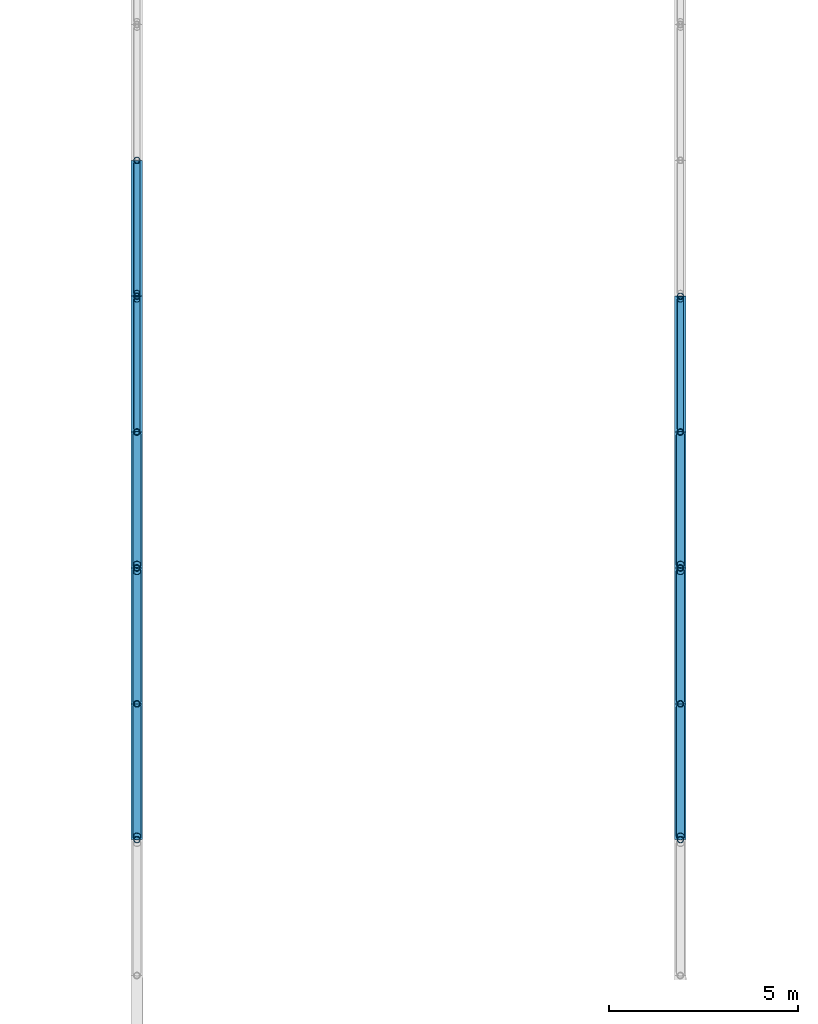
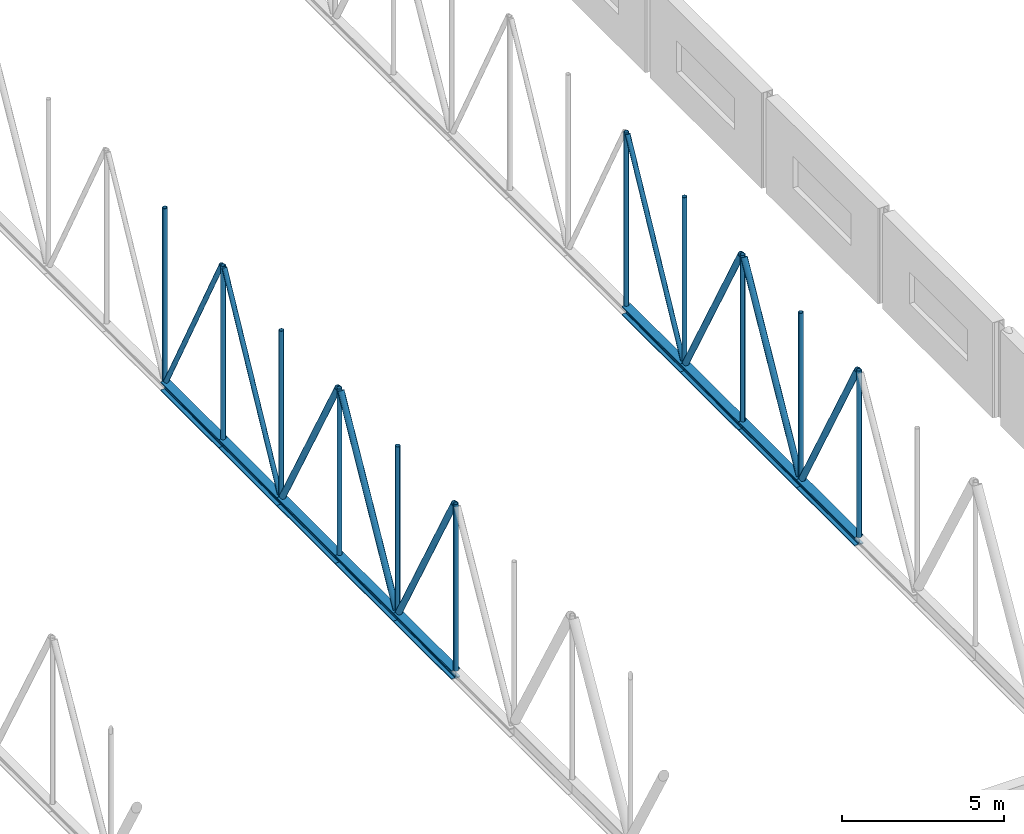
# One storey, part 62 of 142: 29 members.
"""IFC4 building model written with IfcOpenShell, lengths in metres."""

from ifc_helpers import new_model, si_unit, direction, frame, origin, origin_2d, place, context, subcontext, project, spatial, hollow_circle, i_section, extrude, material, material_profile, profile_set, type_object, element, save


model = new_model("IFC4")

# Units and contexts
model_context = context("Model", 3, precision=1e-05, world=origin(), true_north=direction((0.0, 1.0)))
body_context = subcontext(model_context, "Body", "Model", "MODEL_VIEW")
ifc_project = project(units=[si_unit("LENGTHUNIT", "METRE"), si_unit("AREAUNIT", "SQUARE_METRE"), si_unit("VOLUMEUNIT", "CUBIC_METRE"), si_unit("PLANEANGLEUNIT", "RADIAN"), si_unit("MASSUNIT", "GRAM", prefix="KILO")], contexts=[model_context])

# Site, building, storey
site_placement = place(None, origin())
site = spatial("IfcSite", under=ifc_project, at=site_placement, CompositionType="ELEMENT")
building_placement = place(site_placement, origin())
building = spatial("IfcBuilding", under=site, at=building_placement, Name="Kupolbacken Congress Centre", CompositionType="ELEMENT")
storey_placement = place(building_placement, frame((0.0, 0.0, 14.39990234375)))
storey = spatial("IfcBuildingStorey", under=building, at=storey_placement, Name="L04", CompositionType="ELEMENT", Elevation=14.39990234375)

# Members
ifc_material_1 = material(Name="Steel S355", Category="steel")
ifc_material_profile_1 = material_profile(ifc_material_1, i_section(OverallWidth=0.31005859375, OverallDepth=0.340087890625, WebThickness=0.02099609375, FlangeThickness=0.0390625, FilletRadius=0.027099609375, at=origin_2d()), Name="HEM 300")
ifc_profile_set_1 = profile_set([ifc_material_profile_1], Name="Steel S355")
member_type_1 = type_object("IfcMemberType", Name="M01 transfer truss chord HEM 300", PredefinedType="CHORD", material=ifc_profile_set_1)
member_1_placement = place(storey_placement, frame((180.0, 61.199951171875, 0.16015625), z_axis=(0.0, 1.0, 0.0), x_axis=(-1.0, 0.0, 0.0)))
element("IfcMember", 1, at=member_1_placement, inside=storey, type_object=member_type_1, Name="HT/T7/BC06", PredefinedType="CHORD", context=body_context, shape_type="SweptSolid", body=[
    extrude(i_section(OverallWidth=0.31005859375, OverallDepth=0.340087890625, WebThickness=0.02099609375, FlangeThickness=0.0390625, FilletRadius=0.027099609375, at=origin_2d()), origin(), (0.0, 0.0, 1.0), 3.60009765625),
])
member_2_placement = place(storey_placement, frame((180.0, 64.800048828125, 0.16015625), z_axis=(0.0, 1.0, 0.0), x_axis=(-1.0, 0.0, 0.0)))
element("IfcMember", 2, at=member_2_placement, inside=storey, type_object=member_type_1, Name="HT/T7/BC07", PredefinedType="CHORD", context=body_context, shape_type="SweptSolid", body=[
    extrude(i_section(OverallWidth=0.31005859375, OverallDepth=0.340087890625, WebThickness=0.02099609375, FlangeThickness=0.0390625, FilletRadius=0.027099609375, at=origin_2d()), origin(), (0.0, 0.0, 1.0), 3.599853515625),
])
for number, where, z_axis, x_axis, name in (
    (3, (180.0, 68.39990234375, 0.16015625), (0.0, 1.0, 0.0), (-1.0, 0.0, 0.0), "HT/T7/BC08"),
    (4, (180.0, 72.0, 0.16015625), (0.0, 1.0, 0.0), (-1.0, 0.0, 0.0), "HT/T7/BC09"),
):
    element("IfcMember", number, at=place(storey_placement, frame(where, z_axis=z_axis, x_axis=x_axis)), inside=storey, type_object=member_type_1, Name=name, PredefinedType="CHORD", context=body_context, shape_type="SweptSolid", body=[
        extrude(i_section(OverallWidth=0.31005859375, OverallDepth=0.340087890625, WebThickness=0.02099609375, FlangeThickness=0.0390625, FilletRadius=0.027099609375, at=origin_2d()), origin(), (0.0, 0.0, 1.0), 3.60009765625),
    ])
member_3_placement = place(storey_placement, frame((180.0, 75.60009765625, 0.16015625), z_axis=(0.0, 1.0, 0.0), x_axis=(-1.0, 0.0, 0.0)))
element("IfcMember", 5, at=member_3_placement, inside=storey, type_object=member_type_1, Name="HT/T7/BC10", PredefinedType="CHORD", context=body_context, shape_type="SweptSolid", body=[
    extrude(i_section(OverallWidth=0.31005859375, OverallDepth=0.340087890625, WebThickness=0.02099609375, FlangeThickness=0.0390625, FilletRadius=0.027099609375, at=origin_2d()), origin(), (0.0, 0.0, 1.0), 3.599853515625),
])
member_4_placement = place(storey_placement, frame((194.39990234375, 61.199951171875, 0.16015625), z_axis=(0.0, 1.0, 0.0), x_axis=(-1.0, 0.0, 0.0)))
element("IfcMember", 6, at=member_4_placement, inside=storey, type_object=member_type_1, Name="HT/T8/BC06", PredefinedType="CHORD", context=body_context, shape_type="SweptSolid", body=[
    extrude(i_section(OverallWidth=0.31005859375, OverallDepth=0.340087890625, WebThickness=0.02099609375, FlangeThickness=0.0390625, FilletRadius=0.027099609375, at=origin_2d()), origin(), (0.0, 0.0, 1.0), 3.60009765625),
])
member_5_placement = place(storey_placement, frame((194.39990234375, 64.800048828125, 0.16015625), z_axis=(0.0, 1.0, 0.0), x_axis=(-1.0, 0.0, 0.0)))
element("IfcMember", 7, at=member_5_placement, inside=storey, type_object=member_type_1, Name="HT/T8/BC07", PredefinedType="CHORD", context=body_context, shape_type="SweptSolid", body=[
    extrude(i_section(OverallWidth=0.31005859375, OverallDepth=0.340087890625, WebThickness=0.02099609375, FlangeThickness=0.0390625, FilletRadius=0.027099609375, at=origin_2d()), origin(), (0.0, 0.0, 1.0), 3.599853515625),
])
for number, where, z_axis, x_axis, name in (
    (8, (194.39990234375, 68.39990234375, 0.16015625), (0.0, 1.0, 0.0), (-1.0, 0.0, 0.0), "HT/T8/BC08"),
    (9, (194.39990234375, 72.0, 0.16015625), (0.0, 1.0, 0.0), (-1.0, 0.0, 0.0), "HT/T8/BC09"),
):
    element("IfcMember", number, at=place(storey_placement, frame(where, z_axis=z_axis, x_axis=x_axis)), inside=storey, type_object=member_type_1, Name=name, PredefinedType="CHORD", context=body_context, shape_type="SweptSolid", body=[
        extrude(i_section(OverallWidth=0.31005859375, OverallDepth=0.340087890625, WebThickness=0.02099609375, FlangeThickness=0.0390625, FilletRadius=0.027099609375, at=origin_2d()), origin(), (0.0, 0.0, 1.0), 3.60009765625),
    ])
ifc_material_2 = material(Name="Steel S355", Category="steel")
ifc_material_profile_2 = material_profile(ifc_material_2, hollow_circle(Radius=0.109619140625, WallThickness=0.010009765625, at=origin_2d()), Name="CHS 219.1 x 10")
ifc_profile_set_2 = profile_set([ifc_material_profile_2], Name="Steel S355")
member_type_2 = type_object("IfcMemberType", Name="M05 transfer truss web CHS 219.1 x 10", PredefinedType="BRACE", material=ifc_profile_set_2)
member_6_placement = place(storey_placement, frame((180.0, 61.2841796875, 6.5576171875), z_axis=(0.0, 0.48517101949, -0.874419282637), x_axis=(-1.0, 0.0, 0.0)))
element("IfcMember", 10, at=member_6_placement, inside=storey, type_object=member_type_2, Name="HT/T7/D06", PredefinedType="BRACE", context=body_context, shape_type="SweptSolid", body=[
    extrude(hollow_circle(Radius=0.109619140625, WallThickness=0.010009765625, at=origin_2d()), origin(), (0.0, 0.0, 1.0), 7.072998046875),
])
member_7_placement = place(storey_placement, frame((180.0, 64.884033203125, 0.372802734375), z_axis=(0.0, 0.485197410842, 0.87440463889), x_axis=(-1.0, 0.0, 0.0)))
element("IfcMember", 11, at=member_7_placement, inside=storey, type_object=member_type_2, Name="HT/T7/D07", PredefinedType="BRACE", context=body_context, shape_type="SweptSolid", body=[
    extrude(hollow_circle(Radius=0.109619140625, WallThickness=0.010009765625, at=origin_2d()), origin(), (0.0, 0.0, 1.0), 7.0732421875),
])
for number, where, z_axis, x_axis, name in (
    (12, (180.0, 68.484130859375, 6.5576171875), (0.0, 0.48517101949, -0.874419282637), (-1.0, 0.0, 0.0), "HT/T7/D08"),
    (13, (194.39990234375, 61.2841796875, 6.5576171875), (0.0, 0.48517101949, -0.874419282637), (-1.0, 0.0, 0.0), "HT/T8/D06"),
):
    element("IfcMember", number, at=place(storey_placement, frame(where, z_axis=z_axis, x_axis=x_axis)), inside=storey, type_object=member_type_2, Name=name, PredefinedType="BRACE", context=body_context, shape_type="SweptSolid", body=[
        extrude(hollow_circle(Radius=0.109619140625, WallThickness=0.010009765625, at=origin_2d()), origin(), (0.0, 0.0, 1.0), 7.072998046875),
    ])
member_8_placement = place(storey_placement, frame((194.39990234375, 64.884033203125, 0.372802734375), z_axis=(0.0, 0.485197410842, 0.87440463889), x_axis=(-1.0, 0.0, 0.0)))
element("IfcMember", 14, at=member_8_placement, inside=storey, type_object=member_type_2, Name="HT/T8/D07", PredefinedType="BRACE", context=body_context, shape_type="SweptSolid", body=[
    extrude(hollow_circle(Radius=0.109619140625, WallThickness=0.010009765625, at=origin_2d()), origin(), (0.0, 0.0, 1.0), 7.0732421875),
])
member_9_placement = place(storey_placement, frame((194.39990234375, 68.484130859375, 6.5576171875), z_axis=(0.0, 0.48517101949, -0.874419282637), x_axis=(-1.0, 0.0, 0.0)))
element("IfcMember", 15, at=member_9_placement, inside=storey, type_object=member_type_2, Name="HT/T8/D08", PredefinedType="BRACE", context=body_context, shape_type="SweptSolid", body=[
    extrude(hollow_circle(Radius=0.109619140625, WallThickness=0.010009765625, at=origin_2d()), origin(), (0.0, 0.0, 1.0), 7.072998046875),
])
ifc_material_3 = material(Name="Steel S355", Category="steel")
ifc_material_profile_3 = material_profile(ifc_material_3, hollow_circle(Radius=0.084228515625, WallThickness=0.008056640625, at=origin_2d()), Name="CHS 168.3 x 8")
ifc_profile_set_3 = profile_set([ifc_material_profile_3], Name="Steel S355")
member_type_3 = type_object("IfcMemberType", Name="M06 transfer truss web CHS 168.3 x 8", PredefinedType="BRACE", material=ifc_profile_set_3)
for number, where, z_axis, x_axis, name in (
    (16, (180.0, 72.084228515625, 0.359130859375), (0.0, 0.468455727838, 0.883486972771), (-1.0, 0.0, 0.0), "HT/T7/D09"),
    (17, (180.0, 75.68408203125, 6.8310546875), (0.0, 0.468481741227, -0.88347317907), (-1.0, 0.0, 0.0), "HT/T7/D10"),
    (18, (194.39990234375, 72.084228515625, 0.359130859375), (0.0, 0.468455727838, 0.883486972771), (-1.0, 0.0, 0.0), "HT/T8/D09"),
):
    element("IfcMember", number, at=place(storey_placement, frame(where, z_axis=z_axis, x_axis=x_axis)), inside=storey, type_object=member_type_3, Name=name, PredefinedType="BRACE", context=body_context, shape_type="SweptSolid", body=[
        extrude(hollow_circle(Radius=0.084228515625, WallThickness=0.008056640625, at=origin_2d()), origin(), (0.0, 0.0, 1.0), 7.325439453125),
    ])
ifc_material_4 = material(Name="Steel S355", Category="steel")
ifc_material_profile_4 = material_profile(ifc_material_4, hollow_circle(Radius=0.084228515625, WallThickness=0.008056640625, at=origin_2d()), Name="CHS 168.3 x 8")
ifc_profile_set_4 = profile_set([ifc_material_profile_4], Name="Steel S355")
member_type_4 = type_object("IfcMemberType", Name="M20 transfer truss post CHS 168.3 x 8", PredefinedType="STRUT", material=ifc_profile_set_4)
for number, where, z_axis, x_axis, name in (
    (19, (180.0, 61.199951171875, 0.320068359375), (0.0, 0.0, 1.0), (0.0, 1.0, 0.0), "HT/T7/P05"),
    (20, (180.0, 64.800048828125, 0.320068359375), (0.0, 0.0, 1.0), (0.0, 1.0, 0.0), "HT/T7/P06"),
    (21, (180.0, 68.39990234375, 0.320068359375), (0.0, 0.0, 1.0), (0.0, 1.0, 0.0), "HT/T7/P07"),
    (22, (180.0, 72.0, 0.320068359375), (0.0, 0.0, 1.0), (0.0, 1.0, 0.0), "HT/T7/P08"),
):
    element("IfcMember", number, at=place(storey_placement, frame(where, z_axis=z_axis, x_axis=x_axis)), inside=storey, type_object=member_type_4, Name=name, PredefinedType="STRUT", context=body_context, shape_type="SweptSolid", body=[
        extrude(hollow_circle(Radius=0.084228515625, WallThickness=0.008056640625, at=origin_2d()), origin(), (0.0, 0.0, 1.0), 6.2900390625),
    ])
for number, where, z_axis, x_axis, name in (
    (23, (180.0, 75.60009765625, 0.320068359375), (0.0, 0.0, 1.0), (0.0, 1.0, 0.0), "HT/T7/P09"),
    (24, (180.0, 79.199951171875, 0.320068359375), (0.0, 0.0, 1.0), (0.0, 1.0, 0.0), "HT/T7/P10"),
):
    element("IfcMember", number, at=place(storey_placement, frame(where, z_axis=z_axis, x_axis=x_axis)), inside=storey, type_object=member_type_4, Name=name, PredefinedType="STRUT", context=body_context, shape_type="SweptSolid", body=[
        extrude(hollow_circle(Radius=0.084228515625, WallThickness=0.008056640625, at=origin_2d()), origin(), (0.0, 0.0, 1.0), 6.550048828125),
    ])
for number, where, z_axis, x_axis, name in (
    (25, (194.39990234375, 61.199951171875, 0.320068359375), (0.0, 0.0, 1.0), (0.0, 1.0, 0.0), "HT/T8/P05"),
    (26, (194.39990234375, 64.800048828125, 0.320068359375), (0.0, 0.0, 1.0), (0.0, 1.0, 0.0), "HT/T8/P06"),
    (27, (194.39990234375, 68.39990234375, 0.320068359375), (0.0, 0.0, 1.0), (0.0, 1.0, 0.0), "HT/T8/P07"),
    (28, (194.39990234375, 72.0, 0.320068359375), (0.0, 0.0, 1.0), (0.0, 1.0, 0.0), "HT/T8/P08"),
):
    element("IfcMember", number, at=place(storey_placement, frame(where, z_axis=z_axis, x_axis=x_axis)), inside=storey, type_object=member_type_4, Name=name, PredefinedType="STRUT", context=body_context, shape_type="SweptSolid", body=[
        extrude(hollow_circle(Radius=0.084228515625, WallThickness=0.008056640625, at=origin_2d()), origin(), (0.0, 0.0, 1.0), 6.2900390625),
    ])
member_10_placement = place(storey_placement, frame((194.39990234375, 75.60009765625, 0.320068359375), z_axis=(0.0, 0.0, 1.0), x_axis=(0.0, 1.0, 0.0)))
element("IfcMember", 29, at=member_10_placement, inside=storey, type_object=member_type_4, Name="HT/T8/P09", PredefinedType="STRUT", context=body_context, shape_type="SweptSolid", body=[
    extrude(hollow_circle(Radius=0.084228515625, WallThickness=0.008056640625, at=origin_2d()), origin(), (0.0, 0.0, 1.0), 6.550048828125),
])

save(model, "model.ifc")
